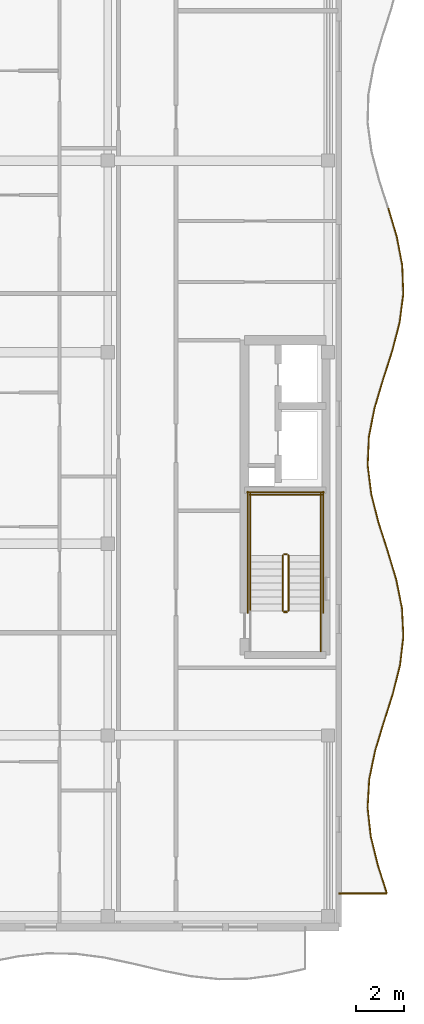
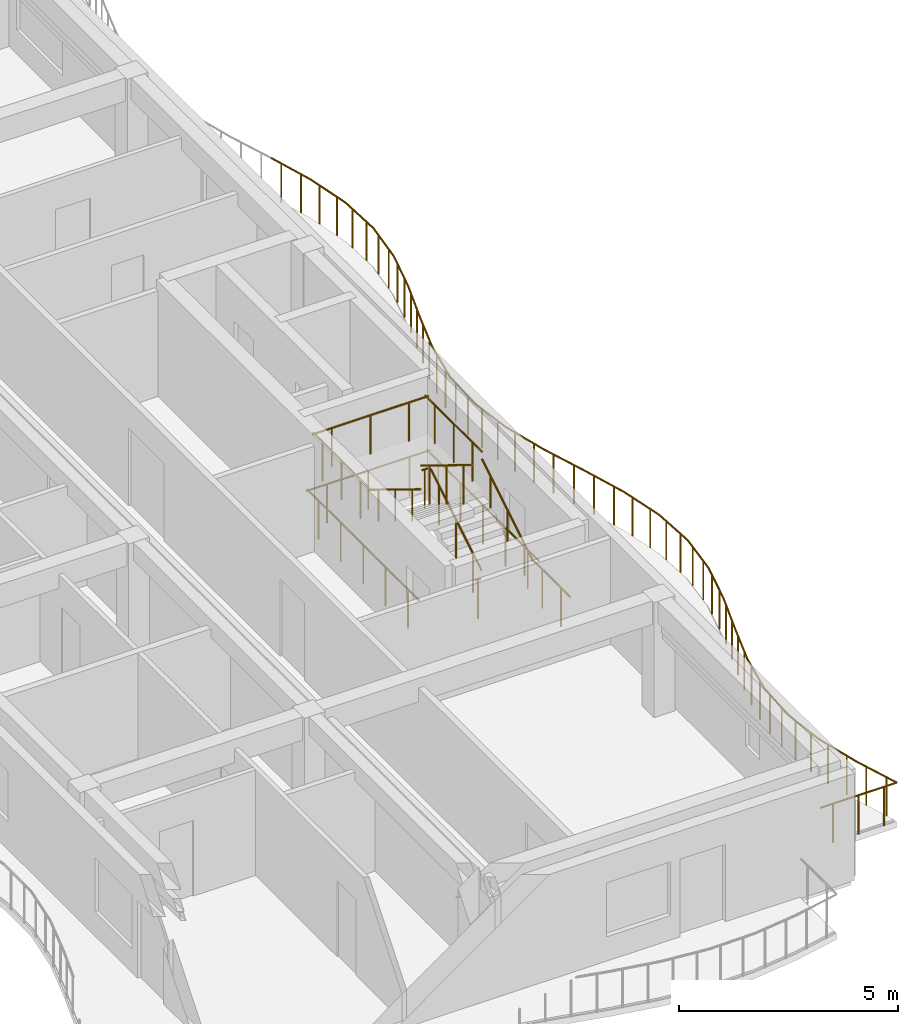
# One storey, part 50 of 54: 38 railings.
"""IFC4 building model written with IfcOpenShell, lengths in metres."""

from ifc_helpers import new_model, si_unit, direction, frame, origin, origin_2d, place, context, subcontext, project, spatial, circle, extrude, material, type_object, element, save


model = new_model("IFC4")

# Units and contexts
model_context = context("Model", 3, precision=1e-05, world=origin(), true_north=direction((0.0, 1.0)))
body_context = subcontext(model_context, "Body", "Model", "MODEL_VIEW")
ifc_project = project(units=[si_unit("LENGTHUNIT", "METRE"), si_unit("AREAUNIT", "SQUARE_METRE"), si_unit("VOLUMEUNIT", "CUBIC_METRE"), si_unit("PLANEANGLEUNIT", "RADIAN"), si_unit("MASSUNIT", "GRAM", prefix="KILO")], contexts=[model_context])

# Site, building, storey
site_placement = place(None, origin())
site = spatial("IfcSite", under=ifc_project, at=site_placement, CompositionType="ELEMENT")
building_placement = place(site_placement, origin())
building = spatial("IfcBuilding", under=site, at=building_placement, Name="Keldmere Railside Commons", CompositionType="ELEMENT")
storey_placement = place(building_placement, frame((0.0, 0.0, 26.56005859375)))
storey = spatial("IfcBuildingStorey", under=building, at=storey_placement, Name="L08", CompositionType="ELEMENT", Elevation=26.56005859375)

# Railings
ifc_material = material(Name="Steel F-24 (S235)", Category="steel")
railing_type_1 = type_object("IfcRailingType", Name="Balcony & Terrace Steel Balustrade 1100", PredefinedType="BALUSTRADE", material=ifc_material)
railing_1_placement = place(storey_placement, frame((184.0, 57.39990234375, 0.0)))
element("IfcRailing", 1, at=railing_1_placement, inside=storey, type_object=railing_type_1, Name="GR-1 GRD-L08-4144", PredefinedType="BALUSTRADE", context=body_context, shape_type="SweptSolid", body=[
    extrude(circle(Radius=0.02392578125, at=origin_2d()), frame((0.0, 0.0, 1.076171875), z_axis=(1.0, 0.0, 0.0), x_axis=(0.0, 1.0, 0.0)), (0.0, 0.0, 1.0), 2.006103515625),
    extrude(circle(Radius=0.02099609375, at=origin_2d()), frame((0.33447265625, 0.0, 0.0)), (0.0, 0.0, 1.0), 1.048095703125),
    extrude(circle(Radius=0.02099609375, at=origin_2d()), frame((1.0029296875, 0.0, 0.0)), (0.0, 0.0, 1.0), 1.048095703125),
    extrude(circle(Radius=0.02099609375, at=origin_2d()), frame((1.671875, 0.0, 0.0)), (0.0, 0.0, 1.0), 1.048095703125),
])
railing_2_placement = place(storey_placement, frame((186.006103515625, 57.39990234375, 0.0)))
element("IfcRailing", 2, at=railing_2_placement, inside=storey, type_object=railing_type_1, Name="GR-1 GRD-L08-4145", PredefinedType="BALUSTRADE", context=body_context, shape_type="SweptSolid", body=[
    extrude(circle(Radius=0.02392578125, at=origin_2d()), frame((0.0, 0.0, 1.076171875), z_axis=(-0.303139201659, 0.952946286219, 0.0), x_axis=(-0.952946286219, -0.303139201659, 0.0)), (0.0, 0.0, 1.0), 1.250732421875),
    extrude(circle(Radius=0.02099609375, at=origin_2d()), frame((-0.0947265625, 0.2978515625, 0.0)), (0.0, 0.0, 1.0), 1.048095703125),
    extrude(circle(Radius=0.02099609375, at=origin_2d()), frame((-0.284423828125, 0.89404296875, 0.0)), (0.0, 0.0, 1.0), 1.048095703125),
])
railing_3_placement = place(storey_placement, frame((185.626953125, 58.591796875, 0.0)))
element("IfcRailing", 3, at=railing_3_placement, inside=storey, type_object=railing_type_1, Name="GR-1 GRD-L08-4146", PredefinedType="BALUSTRADE", context=body_context, shape_type="SweptSolid", body=[
    extrude(circle(Radius=0.02392578125, at=origin_2d()), frame((0.0, 0.0, 1.076171875), z_axis=(-0.239163355201, 0.970979345573, 0.0), x_axis=(-0.970979345573, -0.239163355201, 0.0)), (0.0, 0.0, 1.0), 1.22705078125),
    extrude(circle(Radius=0.02099609375, at=origin_2d()), frame((-0.0732421875, 0.2978515625, 0.0)), (0.0, 0.0, 1.0), 1.048095703125),
    extrude(circle(Radius=0.02099609375, at=origin_2d()), frame((-0.22021484375, 0.8935546875, 0.0)), (0.0, 0.0, 1.0), 1.048095703125),
])
railing_4_placement = place(storey_placement, frame((185.33349609375, 59.783203125, 0.0)))
element("IfcRailing", 4, at=railing_4_placement, inside=storey, type_object=railing_type_1, Name="GR-1 GRD-L08-4147", PredefinedType="BALUSTRADE", context=body_context, shape_type="SweptSolid", body=[
    extrude(circle(Radius=0.02392578125, at=origin_2d()), frame((0.0, 0.0, 1.076171875), z_axis=(-0.108934084751, 0.994048975242, 0.0), x_axis=(-0.994048975242, -0.108934084751, 0.0)), (0.0, 0.0, 1.0), 1.198974609375),
    extrude(circle(Radius=0.02099609375, at=origin_2d()), frame((-0.03271484375, 0.2978515625, 0.0)), (0.0, 0.0, 1.0), 1.048095703125),
    extrude(circle(Radius=0.02099609375, at=origin_2d()), frame((-0.097900390625, 0.89404296875, 0.0)), (0.0, 0.0, 1.0), 1.048095703125),
])
railing_5_placement = place(storey_placement, frame((185.202880859375, 60.97509765625, 0.0)))
element("IfcRailing", 5, at=railing_5_placement, inside=storey, type_object=railing_type_1, Name="GR-1 GRD-L08-4148", PredefinedType="BALUSTRADE", context=body_context, shape_type="SweptSolid", body=[
    extrude(circle(Radius=0.02392578125, at=origin_2d()), frame((0.0, 0.0, 1.076171875), z_axis=(0.055843881789, 0.998439512873, 0.0), x_axis=(-0.998439512873, 0.055843881789, 0.0)), (0.0, 0.0, 1.0), 1.193603515625),
    extrude(circle(Radius=0.02099609375, at=origin_2d()), frame((0.0166015625, 0.2978515625, 0.0)), (0.0, 0.0, 1.0), 1.048095703125),
    extrude(circle(Radius=0.02099609375, at=origin_2d()), frame((0.050048828125, 0.893798828125, 0.0)), (0.0, 0.0, 1.0), 1.048095703125),
])
railing_6_placement = place(storey_placement, frame((185.26953125, 62.166748046875, 0.0)))
element("IfcRailing", 6, at=railing_6_placement, inside=storey, type_object=railing_type_1, Name="GR-1 GRD-L08-4149", PredefinedType="BALUSTRADE", context=body_context, shape_type="SweptSolid", body=[
    extrude(circle(Radius=0.02392578125, at=origin_2d()), frame((0.0, 0.0, 1.076171875), z_axis=(0.202824517058, 0.97921510164, 0.0), x_axis=(-0.97921510164, 0.202824517058, 0.0)), (0.0, 0.0, 1.0), 1.217041015625),
    extrude(circle(Radius=0.02099609375, at=origin_2d()), frame((0.061767578125, 0.2978515625, 0.0)), (0.0, 0.0, 1.0), 1.048095703125),
    extrude(circle(Radius=0.02099609375, at=origin_2d()), frame((0.18505859375, 0.893798828125, 0.0)), (0.0, 0.0, 1.0), 1.048095703125),
])
railing_7_placement = place(storey_placement, frame((185.516357421875, 63.3583984375, 0.0)))
element("IfcRailing", 7, at=railing_7_placement, inside=storey, type_object=railing_type_1, Name="GR-1 GRD-L08-4150", PredefinedType="BALUSTRADE", context=body_context, shape_type="SweptSolid", body=[
    extrude(circle(Radius=0.02392578125, at=origin_2d()), frame((0.0, 0.0, 1.076171875), z_axis=(0.290170638019, 0.956974921736, 0.0), x_axis=(-0.956974921736, 0.290170638019, 0.0)), (0.0, 0.0, 1.0), 1.2451171875),
    extrude(circle(Radius=0.02099609375, at=origin_2d()), frame((0.09033203125, 0.2978515625, 0.0)), (0.0, 0.0, 1.0), 1.048095703125),
    extrude(circle(Radius=0.02099609375, at=origin_2d()), frame((0.27099609375, 0.893798828125, 0.0)), (0.0, 0.0, 1.0), 1.048095703125),
])
railing_8_placement = place(storey_placement, frame((185.877685546875, 64.550048828125, 0.0)))
element("IfcRailing", 8, at=railing_8_placement, inside=storey, type_object=railing_type_1, Name="GR-1 GRD-L08-4151", PredefinedType="BALUSTRADE", context=body_context, shape_type="SweptSolid", body=[
    extrude(circle(Radius=0.02392578125, at=origin_2d()), frame((0.0, 0.0, 1.076171875), z_axis=(0.304081630012, 0.952645979517, 0.0), x_axis=(-0.952645979517, 0.304081630012, 0.0)), (0.0, 0.0, 1.0), 1.2509765625),
    extrude(circle(Radius=0.02099609375, at=origin_2d()), frame((0.09521484375, 0.2978515625, 0.0)), (0.0, 0.0, 1.0), 1.048095703125),
    extrude(circle(Radius=0.02099609375, at=origin_2d()), frame((0.28515625, 0.893798828125, 0.0)), (0.0, 0.0, 1.0), 1.048095703125),
])
railing_9_placement = place(storey_placement, frame((186.258056640625, 65.74169921875, 0.0)))
element("IfcRailing", 9, at=railing_9_placement, inside=storey, type_object=railing_type_1, Name="GR-1 GRD-L08-4152", PredefinedType="BALUSTRADE", context=body_context, shape_type="SweptSolid", body=[
    extrude(circle(Radius=0.02392578125, at=origin_2d()), frame((0.0, 0.0, 1.076171875), z_axis=(0.243423889045, 0.969920001981, 0.0), x_axis=(-0.969920001981, 0.243423889045, 0.0)), (0.0, 0.0, 1.0), 1.228515625),
    extrude(circle(Radius=0.02099609375, at=origin_2d()), frame((0.07470703125, 0.2978515625, 0.0)), (0.0, 0.0, 1.0), 1.048095703125),
    extrude(circle(Radius=0.02099609375, at=origin_2d()), frame((0.224365234375, 0.893798828125, 0.0)), (0.0, 0.0, 1.0), 1.048095703125),
])
railing_10_placement = place(storey_placement, frame((186.55712890625, 66.933349609375, 0.0)))
element("IfcRailing", 10, at=railing_10_placement, inside=storey, type_object=railing_type_1, Name="GR-1 GRD-L08-4153", PredefinedType="BALUSTRADE", context=body_context, shape_type="SweptSolid", body=[
    extrude(circle(Radius=0.02392578125, at=origin_2d()), frame((0.0, 0.0, 1.076171875), z_axis=(0.115589577975, 0.99329706003, 0.0), x_axis=(-0.99329706003, 0.115589577975, 0.0)), (0.0, 0.0, 1.0), 1.19970703125),
    extrude(circle(Radius=0.02099609375, at=origin_2d()), frame((0.03466796875, 0.2978515625, 0.0)), (0.0, 0.0, 1.0), 1.048095703125),
    extrude(circle(Radius=0.02099609375, at=origin_2d()), frame((0.10400390625, 0.893798828125, 0.0)), (0.0, 0.0, 1.0), 1.048095703125),
])
railing_11_placement = place(storey_placement, frame((186.69580078125, 68.125, 0.0)))
element("IfcRailing", 11, at=railing_11_placement, inside=storey, type_object=railing_type_1, Name="GR-1 GRD-L08-4154", PredefinedType="BALUSTRADE", context=body_context, shape_type="SweptSolid", body=[
    extrude(circle(Radius=0.02392578125, at=origin_2d()), frame((0.0, 0.0, 1.076171875), z_axis=(-0.049110919767, 0.998793330755, 0.0), x_axis=(-0.998793330755, -0.049110919767, 0.0)), (0.0, 0.0, 1.0), 1.193115234375),
    extrude(circle(Radius=0.02099609375, at=origin_2d()), frame((-0.0146484375, 0.2978515625, 0.0)), (0.0, 0.0, 1.0), 1.048095703125),
    extrude(circle(Radius=0.02099609375, at=origin_2d()), frame((-0.0439453125, 0.893798828125, 0.0)), (0.0, 0.0, 1.0), 1.048095703125),
])
railing_12_placement = place(storey_placement, frame((186.63720703125, 69.316650390625, 0.0)))
element("IfcRailing", 12, at=railing_12_placement, inside=storey, type_object=railing_type_1, Name="GR-1 GRD-L08-4155", PredefinedType="BALUSTRADE", context=body_context, shape_type="SweptSolid", body=[
    extrude(circle(Radius=0.02392578125, at=origin_2d()), frame((0.0, 0.0, 1.076171875), z_axis=(-0.197622170303, 0.980278265496, 0.0), x_axis=(-0.980278265496, -0.197622170303, 0.0)), (0.0, 0.0, 1.0), 1.215576171875),
    extrude(circle(Radius=0.02099609375, at=origin_2d()), frame((-0.06005859375, 0.2978515625, 0.0)), (0.0, 0.0, 1.0), 1.048095703125),
    extrude(circle(Radius=0.02099609375, at=origin_2d()), frame((-0.18017578125, 0.893798828125, 0.0)), (0.0, 0.0, 1.0), 1.048095703125),
])
railing_13_placement = place(storey_placement, frame((186.39697265625, 70.50830078125, 0.0)))
element("IfcRailing", 13, at=railing_13_placement, inside=storey, type_object=railing_type_1, Name="GR-1 GRD-L08-4156", PredefinedType="BALUSTRADE", context=body_context, shape_type="SweptSolid", body=[
    extrude(circle(Radius=0.02392578125, at=origin_2d()), frame((0.0, 0.0, 1.076171875), z_axis=(-0.288013798067, 0.957626259103, 0.0), x_axis=(-0.957626259103, -0.288013798067, 0.0)), (0.0, 0.0, 1.0), 1.244384765625),
    extrude(circle(Radius=0.02099609375, at=origin_2d()), frame((-0.089599609375, 0.2978515625, 0.0)), (0.0, 0.0, 1.0), 1.048095703125),
    extrude(circle(Radius=0.02099609375, at=origin_2d()), frame((-0.268798828125, 0.893798828125, 0.0)), (0.0, 0.0, 1.0), 1.048095703125),
])
railing_14_placement = place(storey_placement, frame((186.03857421875, 71.699951171875, 0.0)))
element("IfcRailing", 14, at=railing_14_placement, inside=storey, type_object=railing_type_1, Name="GR-1 GRD-L08-4157", PredefinedType="BALUSTRADE", context=body_context, shape_type="SweptSolid", body=[
    extrude(circle(Radius=0.02392578125, at=origin_2d()), frame((0.0, 0.0, 1.076171875), z_axis=(-0.304966872698, 0.952362959463, 0.0), x_axis=(-0.952362959463, -0.304966872698, 0.0)), (0.0, 0.0, 1.0), 1.251220703125),
    extrude(circle(Radius=0.02099609375, at=origin_2d()), frame((-0.095458984375, 0.2978515625, 0.0)), (0.0, 0.0, 1.0), 1.048095703125),
    extrude(circle(Radius=0.02099609375, at=origin_2d()), frame((-0.2861328125, 0.893798828125, 0.0)), (0.0, 0.0, 1.0), 1.048095703125),
])
railing_15_placement = place(storey_placement, frame((185.656982421875, 72.8916015625, 0.0)))
element("IfcRailing", 15, at=railing_15_placement, inside=storey, type_object=railing_type_1, Name="GR-1 GRD-L08-4158", PredefinedType="BALUSTRADE", context=body_context, shape_type="SweptSolid", body=[
    extrude(circle(Radius=0.02392578125, at=origin_2d()), frame((0.0, 0.0, 1.076171875), z_axis=(-0.247529945414, 0.968880243437, 0.0), x_axis=(-0.968880243437, -0.247529945414, 0.0)), (0.0, 0.0, 1.0), 1.22998046875),
    extrude(circle(Radius=0.02099609375, at=origin_2d()), frame((-0.076171875, 0.2978515625, 0.0)), (0.0, 0.0, 1.0), 1.048095703125),
    extrude(circle(Radius=0.02099609375, at=origin_2d()), frame((-0.228271484375, 0.893798828125, 0.0)), (0.0, 0.0, 1.0), 1.048095703125),
])
railing_16_placement = place(storey_placement, frame((185.3525390625, 74.083251953125, 0.0)))
element("IfcRailing", 16, at=railing_16_placement, inside=storey, type_object=railing_type_1, Name="GR-1 GRD-L08-4159", PredefinedType="BALUSTRADE", context=body_context, shape_type="SweptSolid", body=[
    extrude(circle(Radius=0.02392578125, at=origin_2d()), frame((0.0, 0.0, 1.076171875), z_axis=(-0.121806951937, 0.99255381036, 0.0), x_axis=(-0.99255381036, -0.121806951937, 0.0)), (0.0, 0.0, 1.0), 1.20068359375),
    extrude(circle(Radius=0.02099609375, at=origin_2d()), frame((-0.03662109375, 0.2978515625, 0.0)), (0.0, 0.0, 1.0), 1.048095703125),
    extrude(circle(Radius=0.02099609375, at=origin_2d()), frame((-0.109619140625, 0.893798828125, 0.0)), (0.0, 0.0, 1.0), 1.048095703125),
])
railing_17_placement = place(storey_placement, frame((185.206298828125, 75.27490234375, 0.0)))
element("IfcRailing", 17, at=railing_17_placement, inside=storey, type_object=railing_type_1, Name="GR-1 GRD-L08-4160", PredefinedType="BALUSTRADE", context=body_context, shape_type="SweptSolid", body=[
    extrude(circle(Radius=0.02392578125, at=origin_2d()), frame((0.0, 0.0, 1.076171875), z_axis=(0.04215830691, 0.999110943368, 0.0), x_axis=(-0.999110943368, 0.04215830691, 0.0)), (0.0, 0.0, 1.0), 1.19287109375),
    extrude(circle(Radius=0.02099609375, at=origin_2d()), frame((0.0126953125, 0.2978515625, 0.0)), (0.0, 0.0, 1.0), 1.048095703125),
    extrude(circle(Radius=0.02099609375, at=origin_2d()), frame((0.03759765625, 0.89404296875, 0.0)), (0.0, 0.0, 1.0), 1.048095703125),
])
railing_18_placement = place(storey_placement, frame((185.256591796875, 76.466796875, 0.0)))
element("IfcRailing", 18, at=railing_18_placement, inside=storey, type_object=railing_type_1, Name="GR-1 GRD-L08-4161", PredefinedType="BALUSTRADE", context=body_context, shape_type="SweptSolid", body=[
    extrude(circle(Radius=0.02392578125, at=origin_2d()), frame((0.0, 0.0, 1.076171875), z_axis=(0.192247387029, 0.981346494456, 0.0), x_axis=(-0.981346494456, 0.192247387029, 0.0)), (0.0, 0.0, 1.0), 1.214111328125),
    extrude(circle(Radius=0.02099609375, at=origin_2d()), frame((0.058349609375, 0.2978515625, 0.0)), (0.0, 0.0, 1.0), 1.048095703125),
    extrude(circle(Radius=0.02099609375, at=origin_2d()), frame((0.175048828125, 0.8935546875, 0.0)), (0.0, 0.0, 1.0), 1.048095703125),
])
railing_19_placement = place(storey_placement, frame((185.489990234375, 77.658203125, 0.0)))
element("IfcRailing", 19, at=railing_19_placement, inside=storey, type_object=railing_type_1, Name="GR-1 GRD-L08-4162", PredefinedType="BALUSTRADE", context=body_context, shape_type="SweptSolid", body=[
    extrude(circle(Radius=0.02392578125, at=origin_2d()), frame((0.0, 0.0, 1.076171875), z_axis=(0.285618524475, 0.958343392776, 0.0), x_axis=(-0.958343392776, 0.285618524475, 0.0)), (0.0, 0.0, 1.0), 1.24365234375),
    extrude(circle(Radius=0.02099609375, at=origin_2d()), frame((0.0888671875, 0.2978515625, 0.0)), (0.0, 0.0, 1.0), 1.048095703125),
    extrude(circle(Radius=0.02099609375, at=origin_2d()), frame((0.266357421875, 0.89404296875, 0.0)), (0.0, 0.0, 1.0), 1.048095703125),
])
railing_20_placement = place(storey_placement, frame((185.84521484375, 78.85009765625, 0.0)))
element("IfcRailing", 20, at=railing_20_placement, inside=storey, type_object=railing_type_1, Name="GR-1 GRD-L08-4163", PredefinedType="BALUSTRADE", context=body_context, shape_type="SweptSolid", body=[
    extrude(circle(Radius=0.02392578125, at=origin_2d()), frame((0.0, 0.0, 1.076171875), z_axis=(0.305851325605, 0.952079285892, 0.0), x_axis=(-0.952079285892, 0.305851325605, 0.0)), (0.0, 0.0, 1.0), 1.251708984375),
    extrude(circle(Radius=0.02099609375, at=origin_2d()), frame((0.095703125, 0.2978515625, 0.0)), (0.0, 0.0, 1.0), 1.048095703125),
    extrude(circle(Radius=0.02099609375, at=origin_2d()), frame((0.287109375, 0.893798828125, 0.0)), (0.0, 0.0, 1.0), 1.048095703125),
])
railing_21_placement = place(storey_placement, frame((186.22802734375, 80.041748046875, 0.0)))
element("IfcRailing", 21, at=railing_21_placement, inside=storey, type_object=railing_type_1, Name="GR-1 GRD-L08-4164", PredefinedType="BALUSTRADE", context=body_context, shape_type="SweptSolid", body=[
    extrude(circle(Radius=0.02392578125, at=origin_2d()), frame((0.0, 0.0, 1.076171875), z_axis=(0.251251192271, 0.967921917503, 0.0), x_axis=(-0.967921917503, 0.251251192271, 0.0)), (0.0, 0.0, 1.0), 1.231201171875),
    extrude(circle(Radius=0.02099609375, at=origin_2d()), frame((0.077392578125, 0.2978515625, 0.0)), (0.0, 0.0, 1.0), 1.048095703125),
    extrude(circle(Radius=0.02099609375, at=origin_2d()), frame((0.23193359375, 0.893798828125, 0.0)), (0.0, 0.0, 1.0), 1.048095703125),
])
railing_22_placement = place(storey_placement, frame((186.537353515625, 81.2333984375, 0.0)))
element("IfcRailing", 22, at=railing_22_placement, inside=storey, type_object=railing_type_1, Name="GR-1 GRD-L08-4165", PredefinedType="BALUSTRADE", context=body_context, shape_type="SweptSolid", body=[
    extrude(circle(Radius=0.02392578125, at=origin_2d()), frame((0.0, 0.0, 1.076171875), z_axis=(0.128209873793, 0.99174705861, 0.0), x_axis=(-0.99174705861, 0.128209873793, 0.0)), (0.0, 0.0, 1.0), 1.20166015625),
    extrude(circle(Radius=0.02099609375, at=origin_2d()), frame((0.03857421875, 0.2978515625, 0.0)), (0.0, 0.0, 1.0), 1.048095703125),
    extrude(circle(Radius=0.02099609375, at=origin_2d()), frame((0.115478515625, 0.893798828125, 0.0)), (0.0, 0.0, 1.0), 1.048095703125),
])
railing_23_placement = place(storey_placement, frame((186.69140625, 82.425048828125, 0.0)))
element("IfcRailing", 23, at=railing_23_placement, inside=storey, type_object=railing_type_1, Name="GR-1 GRD-L08-4166", PredefinedType="BALUSTRADE", context=body_context, shape_type="SweptSolid", body=[
    extrude(circle(Radius=0.02392578125, at=origin_2d()), frame((0.0, 0.0, 1.076171875), z_axis=(-0.035012324643, 0.999386880604, 0.0), x_axis=(-0.999386880604, -0.035012324643, 0.0)), (0.0, 0.0, 1.0), 1.1923828125),
    extrude(circle(Radius=0.02099609375, at=origin_2d()), frame((-0.010498046875, 0.2978515625, 0.0)), (0.0, 0.0, 1.0), 1.048095703125),
    extrude(circle(Radius=0.02099609375, at=origin_2d()), frame((-0.03125, 0.893798828125, 0.0)), (0.0, 0.0, 1.0), 1.048095703125),
])
railing_24_placement = place(storey_placement, frame((186.649658203125, 83.61669921875, 0.0)))
element("IfcRailing", 24, at=railing_24_placement, inside=storey, type_object=railing_type_1, Name="GR-1 GRD-L08-4167", PredefinedType="BALUSTRADE", context=body_context, shape_type="SweptSolid", body=[
    extrude(circle(Radius=0.02392578125, at=origin_2d()), frame((0.0, 0.0, 1.076171875), z_axis=(-0.186973379847, 0.982364980661, 0.0), x_axis=(-0.982364980661, -0.186973379847, 0.0)), (0.0, 0.0, 1.0), 1.213134765625),
    extrude(circle(Radius=0.02099609375, at=origin_2d()), frame((-0.056640625, 0.2978515625, 0.0)), (0.0, 0.0, 1.0), 1.048095703125),
    extrude(circle(Radius=0.02099609375, at=origin_2d()), frame((-0.170166015625, 0.893798828125, 0.0)), (0.0, 0.0, 1.0), 1.048095703125),
])
railing_25_placement = place(storey_placement, frame((186.4228515625, 84.808349609375, 0.0)))
element("IfcRailing", 25, at=railing_25_placement, inside=storey, type_object=railing_type_1, Name="GR-1 GRD-L08-4168", PredefinedType="BALUSTRADE", context=body_context, shape_type="SweptSolid", body=[
    extrude(circle(Radius=0.02392578125, at=origin_2d()), frame((0.0, 0.0, 1.076171875), z_axis=(-0.283144882228, 0.959077147923, 0.0), x_axis=(-0.959077147923, -0.283144882228, 0.0)), (0.0, 0.0, 1.0), 1.242431640625),
    extrude(circle(Radius=0.02099609375, at=origin_2d()), frame((-0.087890625, 0.2978515625, 0.0)), (0.0, 0.0, 1.0), 1.048095703125),
    extrude(circle(Radius=0.02099609375, at=origin_2d()), frame((-0.263916015625, 0.893798828125, 0.0)), (0.0, 0.0, 1.0), 1.048095703125),
])
railing_type_2 = type_object("IfcRailingType", Name="Stair Well Steel Guardrail 1100", PredefinedType="BALUSTRADE", material=ifc_material)
railing_26_placement = place(storey_placement, frame((181.89990234375, 69.199951171875, 0.177734375)))
element("IfcRailing", 26, at=railing_26_placement, inside=storey, type_object=railing_type_2, Name="L08 ST-A1 stair guard 1", PredefinedType="BALUSTRADE", context=body_context, shape_type="SweptSolid", body=[
    extrude(circle(Radius=0.02392578125, at=origin_2d()), frame((0.0, 0.0, 1.076171875), z_axis=(0.0, 0.852578041948, 0.522599925744), x_axis=(-1.0, 0.0, 0.0)), (0.0, 0.0, 1.0), 2.72119140625),
    extrude(circle(Radius=0.02099609375, at=origin_2d()), frame((0.0, 0.38671875, 0.237060546875)), (0.0, 0.0, 1.0), 1.048095703125),
    extrude(circle(Radius=0.02099609375, at=origin_2d()), frame((0.0, 1.16015625, 0.7109375)), (0.0, 0.0, 1.0), 1.048095703125),
    extrude(circle(Radius=0.02099609375, at=origin_2d()), frame((0.0, 1.933349609375, 1.18505859375)), (0.0, 0.0, 1.0), 1.048095703125),
])
railing_27_placement = place(storey_placement, frame((181.85009765625, 71.570068359375, 1.599853515625)))
element("IfcRailing", 27, at=railing_27_placement, inside=storey, type_object=railing_type_2, Name="L08 ST-A1 stair guard 2", PredefinedType="BALUSTRADE", context=body_context, shape_type="SweptSolid", body=[
    extrude(circle(Radius=0.02392578125, at=origin_2d()), frame((0.0, 0.0, 1.076171875), z_axis=(-1.0, 0.0, 0.0), x_axis=(0.0, -1.0, 0.0)), (0.0, 0.0, 1.0), 0.150146484375),
    extrude(circle(Radius=0.02099609375, at=origin_2d()), frame((-0.0751953125, 0.0, 0.0)), (0.0, 0.0, 1.0), 1.048095703125),
])
for number, where, name in (
    (28, (183.25, 71.52001953125, 1.599853515625), "L08 ST-A1 stair guard 3"),
    (29, (180.300048828125, 71.52001953125, 1.599853515625), "L08 ST-A1 stair guard 4"),
):
    element("IfcRailing", number, at=place(storey_placement, frame(where)), inside=storey, type_object=railing_type_2, Name=name, PredefinedType="BALUSTRADE", context=body_context, shape_type="SweptSolid", body=[
        extrude(circle(Radius=0.02392578125, at=origin_2d()), frame((0.0, 0.0, 1.076171875), z_axis=(0.0, 1.0, 0.0), x_axis=(-1.0, 0.0, 0.0)), (0.0, 0.0, 1.0), 2.580078125),
        extrude(circle(Radius=0.02099609375, at=origin_2d()), frame((0.0, 0.429931640625, 0.0)), (0.0, 0.0, 1.0), 1.048095703125),
        extrude(circle(Radius=0.02099609375, at=origin_2d()), frame((0.0, 1.2900390625, 0.0)), (0.0, 0.0, 1.0), 1.048095703125),
        extrude(circle(Radius=0.02099609375, at=origin_2d()), frame((0.0, 2.150146484375, 0.0)), (0.0, 0.0, 1.0), 1.048095703125),
    ])
railing_28_placement = place(storey_placement, frame((183.300048828125, 74.050048828125, 1.599853515625)))
element("IfcRailing", 30, at=railing_28_placement, inside=storey, type_object=railing_type_2, Name="L08 ST-A1 stair guard 5", PredefinedType="BALUSTRADE", context=body_context, shape_type="SweptSolid", body=[
    extrude(circle(Radius=0.02392578125, at=origin_2d()), frame((0.0, 0.0, 1.076171875), z_axis=(-1.0, 0.0, 0.0), x_axis=(0.0, -1.0, 0.0)), (0.0, 0.0, 1.0), 3.050048828125),
    extrude(circle(Radius=0.02099609375, at=origin_2d()), frame((-0.50830078125, 0.0, 0.0)), (0.0, 0.0, 1.0), 1.048095703125),
    extrude(circle(Radius=0.02099609375, at=origin_2d()), frame((-1.52490234375, 0.0, 0.0)), (0.0, 0.0, 1.0), 1.048095703125),
    extrude(circle(Radius=0.02099609375, at=origin_2d()), frame((-2.541748046875, 0.0, 0.0)), (0.0, 0.0, 1.0), 1.048095703125),
])
railing_29_placement = place(storey_placement, frame((181.64990234375, 71.52001953125, 1.77783203125)))
element("IfcRailing", 31, at=railing_29_placement, inside=storey, type_object=railing_type_2, Name="L08 ST-A1 stair guard 6", PredefinedType="BALUSTRADE", context=body_context, shape_type="SweptSolid", body=[
    extrude(circle(Radius=0.02392578125, at=origin_2d()), frame((0.0, 0.0, 1.076171875), z_axis=(0.0, -0.852578041948, 0.522599925744), x_axis=(1.0, 0.0, 0.0)), (0.0, 0.0, 1.0), 2.72119140625),
    extrude(circle(Radius=0.02099609375, at=origin_2d()), frame((0.0, -0.38671875, 0.237060546875)), (0.0, 0.0, 1.0), 1.048095703125),
    extrude(circle(Radius=0.02099609375, at=origin_2d()), frame((0.0, -1.16015625, 0.7109375)), (0.0, 0.0, 1.0), 1.048095703125),
    extrude(circle(Radius=0.02099609375, at=origin_2d()), frame((0.0, -1.933349609375, 1.18505859375)), (0.0, 0.0, 1.0), 1.048095703125),
])
railing_30_placement = place(storey_placement, frame((181.85009765625, 69.14990234375, 0.0)))
element("IfcRailing", 32, at=railing_30_placement, inside=storey, type_object=railing_type_2, Name="L08 ST-A1 stair guard 7", PredefinedType="BALUSTRADE", context=body_context, shape_type="SweptSolid", body=[
    extrude(circle(Radius=0.02392578125, at=origin_2d()), frame((0.0, 0.0, 1.076171875), z_axis=(-1.0, 0.0, 0.0), x_axis=(0.0, -1.0, 0.0)), (0.0, 0.0, 1.0), 0.150146484375),
    extrude(circle(Radius=0.02099609375, at=origin_2d()), frame((-0.0751953125, 0.0, 0.0)), (0.0, 0.0, 1.0), 1.048095703125),
])
railing_31_placement = place(storey_placement, frame((183.25, 67.5, 0.0)))
element("IfcRailing", 33, at=railing_31_placement, inside=storey, type_object=railing_type_2, Name="L08 ST-A1 stair guard 8", PredefinedType="BALUSTRADE", context=body_context, shape_type="SweptSolid", body=[
    extrude(circle(Radius=0.02392578125, at=origin_2d()), frame((0.0, 0.0, 1.076171875), z_axis=(0.0, 1.0, 0.0), x_axis=(-1.0, 0.0, 0.0)), (0.0, 0.0, 1.0), 1.699951171875),
    extrude(circle(Radius=0.02099609375, at=origin_2d()), frame((0.0, 0.425048828125, 0.0)), (0.0, 0.0, 1.0), 1.048095703125),
    extrude(circle(Radius=0.02099609375, at=origin_2d()), frame((0.0, 1.27490234375, 0.0)), (0.0, 0.0, 1.0), 1.048095703125),
])
for number, where, name in (
    (34, (183.35009765625, 69.10009765625, 0.0), "L08 ST-A1 stair guard 10"),
    (35, (180.199951171875, 69.10009765625, 0.0), "L08 ST-A1 stair guard 11"),
):
    element("IfcRailing", number, at=place(storey_placement, frame(where)), inside=storey, type_object=railing_type_2, Name=name, PredefinedType="BALUSTRADE", context=body_context, shape_type="SweptSolid", body=[
        extrude(circle(Radius=0.02392578125, at=origin_2d()), frame((0.0, 0.0, 1.076171875), z_axis=(0.0, 1.0, 0.0), x_axis=(-1.0, 0.0, 0.0)), (0.0, 0.0, 1.0), 5.099853515625),
        extrude(circle(Radius=0.02099609375, at=origin_2d()), frame((0.0, 0.510009765625, 0.0)), (0.0, 0.0, 1.0), 1.048095703125),
        extrude(circle(Radius=0.02099609375, at=origin_2d()), frame((0.0, 1.530029296875, 0.0)), (0.0, 0.0, 1.0), 1.048095703125),
        extrude(circle(Radius=0.02099609375, at=origin_2d()), frame((0.0, 2.5498046875, 0.0)), (0.0, 0.0, 1.0), 1.048095703125),
        extrude(circle(Radius=0.02099609375, at=origin_2d()), frame((0.0, 3.56982421875, 0.0)), (0.0, 0.0, 1.0), 1.048095703125),
        extrude(circle(Radius=0.02099609375, at=origin_2d()), frame((0.0, 4.58984375, 0.0)), (0.0, 0.0, 1.0), 1.048095703125),
    ])
railing_32_placement = place(storey_placement, frame((183.39990234375, 74.14990234375, 0.0)))
element("IfcRailing", 36, at=railing_32_placement, inside=storey, type_object=railing_type_2, Name="L08 ST-A1 stair guard 12", PredefinedType="BALUSTRADE", context=body_context, shape_type="SweptSolid", body=[
    extrude(circle(Radius=0.02392578125, at=origin_2d()), frame((0.0, 0.0, 1.076171875), z_axis=(-1.0, 0.0, 0.0), x_axis=(0.0, -1.0, 0.0)), (0.0, 0.0, 1.0), 3.25),
    extrude(circle(Radius=0.02099609375, at=origin_2d()), frame((-0.541748046875, 0.0, 0.0)), (0.0, 0.0, 1.0), 1.048095703125),
    extrude(circle(Radius=0.02099609375, at=origin_2d()), frame((-1.625, 0.0, 0.0)), (0.0, 0.0, 1.0), 1.048095703125),
    extrude(circle(Radius=0.02099609375, at=origin_2d()), frame((-2.708251953125, 0.0, 0.0)), (0.0, 0.0, 1.0), 1.048095703125),
])
railing_type_3 = type_object("IfcRailingType", Name="Wall-Mounted Tubular Steel Handrail 900", PredefinedType="HANDRAIL", material=ifc_material)
railing_33_placement = place(storey_placement, frame((183.25, 69.199951171875, 0.177734375)))
element("IfcRailing", 37, at=railing_33_placement, inside=storey, type_object=railing_type_3, Name="L08 ST-A1 stair handrail 1", PredefinedType="HANDRAIL", context=body_context, shape_type="SweptSolid", body=[
    extrude(circle(Radius=0.02392578125, at=origin_2d()), frame((0.0, 0.0, 0.8759765625), z_axis=(0.0, 0.852578041948, 0.522599925744), x_axis=(-1.0, 0.0, 0.0)), (0.0, 0.0, 1.0), 2.72119140625),
    extrude(circle(Radius=0.02099609375, at=origin_2d()), frame((0.0, 0.38671875, 0.237060546875)), (0.0, 0.0, 1.0), 0.847900390625),
    extrude(circle(Radius=0.02099609375, at=origin_2d()), frame((0.0, 1.16015625, 0.7109375)), (0.0, 0.0, 1.0), 0.847900390625),
    extrude(circle(Radius=0.02099609375, at=origin_2d()), frame((0.0, 1.933349609375, 1.18505859375)), (0.0, 0.0, 1.0), 0.847900390625),
])
railing_34_placement = place(storey_placement, frame((180.300048828125, 71.52001953125, 1.77783203125)))
element("IfcRailing", 38, at=railing_34_placement, inside=storey, type_object=railing_type_3, Name="L08 ST-A1 stair handrail 2", PredefinedType="HANDRAIL", context=body_context, shape_type="SweptSolid", body=[
    extrude(circle(Radius=0.02392578125, at=origin_2d()), frame((0.0, 0.0, 0.8759765625), z_axis=(0.0, -0.852578041948, 0.522599925744), x_axis=(1.0, 0.0, 0.0)), (0.0, 0.0, 1.0), 2.72119140625),
    extrude(circle(Radius=0.02099609375, at=origin_2d()), frame((0.0, -0.38671875, 0.237060546875)), (0.0, 0.0, 1.0), 0.847900390625),
    extrude(circle(Radius=0.02099609375, at=origin_2d()), frame((0.0, -1.16015625, 0.7109375)), (0.0, 0.0, 1.0), 0.847900390625),
    extrude(circle(Radius=0.02099609375, at=origin_2d()), frame((0.0, -1.933349609375, 1.18505859375)), (0.0, 0.0, 1.0), 0.847900390625),
])

save(model, "model.ifc")
